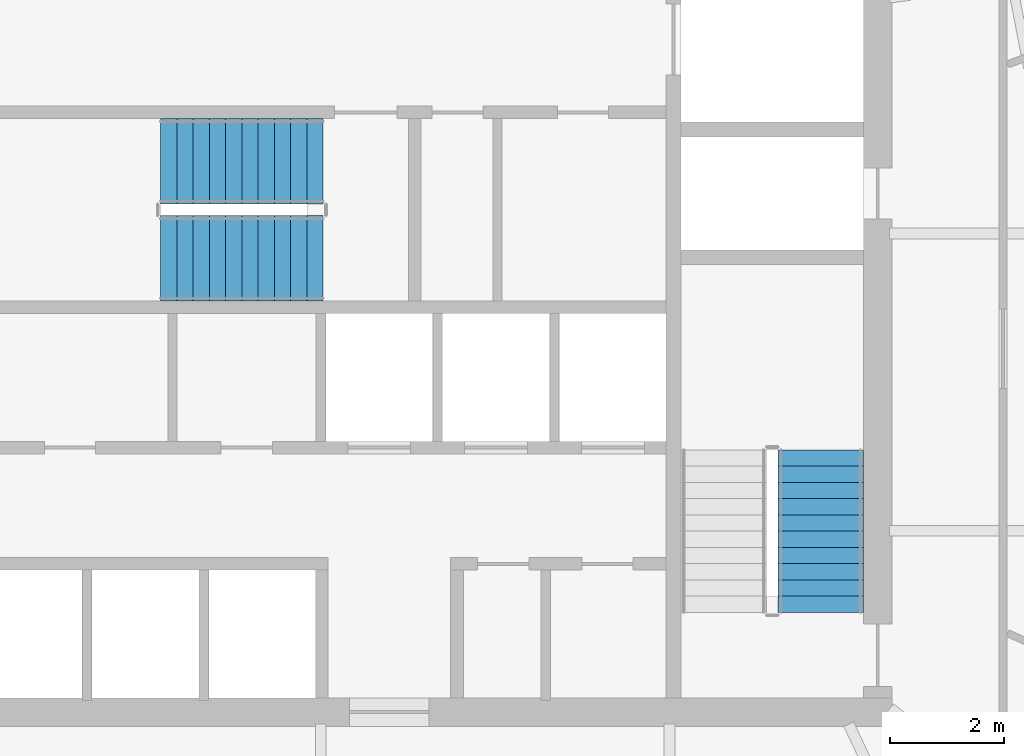
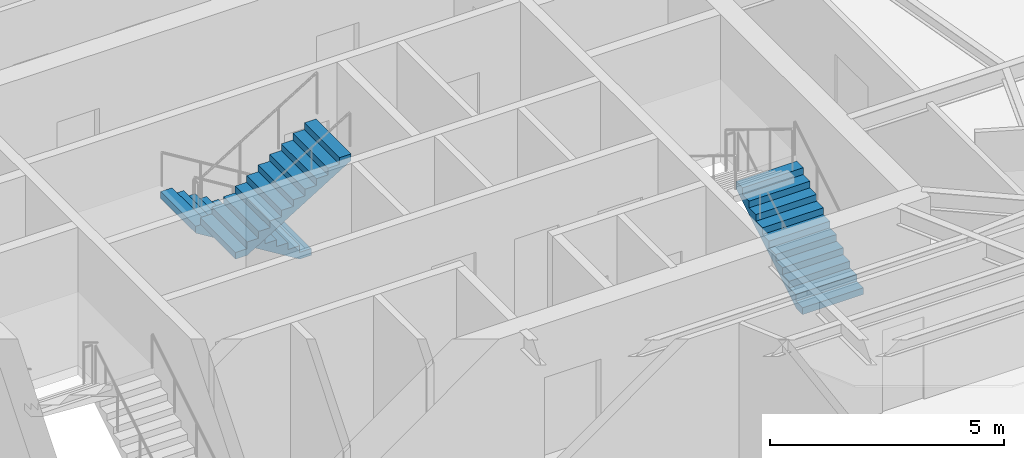
# One storey, part 11 of 13: 3 stair flights, 2 elements without a shape of their own.
"""IFC4 building model written with IfcOpenShell, lengths in metres."""

from ifc_helpers import new_model, si_unit, direction, frame, origin, place, context, subcontext, project, spatial, polyline, outline, extrude, material, type_object, element, aggregate, save


model = new_model("IFC4")

# Units and contexts
model_context = context("Model", 3, precision=1e-05, world=origin(), true_north=direction((0.0, 1.0)))
body_context = subcontext(model_context, "Body", "Model", "MODEL_VIEW")
ifc_project = project(units=[si_unit("LENGTHUNIT", "METRE"), si_unit("AREAUNIT", "SQUARE_METRE"), si_unit("VOLUMEUNIT", "CUBIC_METRE"), si_unit("PLANEANGLEUNIT", "RADIAN"), si_unit("MASSUNIT", "GRAM", prefix="KILO")], contexts=[model_context])

# Site, building, storey
site_placement = place(None, origin())
site = spatial("IfcSite", under=ifc_project, at=site_placement, CompositionType="ELEMENT")
building_placement = place(site_placement, origin())
building = spatial("IfcBuilding", under=site, at=building_placement, Name="Kavelnor Concourse Tower", CompositionType="ELEMENT")
storey_placement = place(building_placement, frame((0.0, 0.0, 131.699951171875)))
storey = spatial("IfcBuildingStorey", under=building, at=storey_placement, Name="L33", CompositionType="ELEMENT", Elevation=131.699951171875)

# Stair, stair flight
ifc_material = material(Name="Concrete C40/50", Category="concrete")
stair_type = type_object("IfcStairType", Name="STR-CORE-1500", PredefinedType="HALF_TURN_STAIR", material=ifc_material)
stair_1_placement = place(storey_placement, origin())
stair_1 = element("IfcStair", 1, at=stair_1_placement, inside=storey, type_object=stair_type, Name="L33 ST2", PredefinedType="HALF_TURN_STAIR")
stair_flight_type = type_object("IfcStairFlightType", Name="STR-FLIGHT-1500", PredefinedType="STRAIGHT", material=ifc_material)
stair_flight_1_placement = place(storey_placement, frame((46.77001953125, 11.10009765625, 0.0), z_axis=(0.0, 0.0, 1.0), x_axis=(0.0, 1.0, 0.0)))
stair_flight_1 = element("IfcStairFlight", 2, at=stair_flight_1_placement, type_object=stair_flight_type, Name="ST2 flight 1", NumberOfRisers=11, NumberOfTreads=10, PredefinedType="STRAIGHT", RiserHeight=0.175, TreadLength=0.285, context=body_context, shape_type="SweptSolid", body=[
    extrude(outline(polyline([(0.0, 0.0), (0.0, 0.175048828125), (0.284912109375, 0.175048828125), (0.284912109375, 0.35009765625), (0.570068359375, 0.35009765625), (0.570068359375, 0.52490234375), (0.85498046875, 0.52490234375), (0.85498046875, 0.699951171875), (1.139892578125, 0.699951171875), (1.139892578125, 0.875), (1.425048828125, 0.875), (1.425048828125, 1.050048828125), (1.7099609375, 1.050048828125), (1.7099609375, 1.22509765625), (1.9951171875, 1.22509765625), (1.9951171875, 1.39990234375), (2.280029296875, 1.39990234375), (2.280029296875, 1.574951171875), (2.56494140625, 1.574951171875), (2.56494140625, 1.75), (2.85009765625, 1.75), (2.85009765625, 1.925048828125), (2.85009765625, 1.573974609375), (0.286376953125, 0.0), (0.0, 0.0)])), frame((0.0, 0.75, 0.0), z_axis=(0.0, -1.0, 0.0), x_axis=(1.0, 0.0, 0.0)), (0.0, 0.0, 1.0), 1.5),
])
aggregate(stair_1, [stair_flight_1])

# Stair, stair flights
stair_2_placement = place(storey_placement, origin())
stair_2 = element("IfcStair", 3, at=stair_2_placement, inside=storey, type_object=stair_type, Name="L33 ST3", PredefinedType="HALF_TURN_STAIR")
stair_flight_2_placement = place(storey_placement, frame((38.0400390625, 19.010009765625, 0.0), z_axis=(0.0, 0.0, 1.0), x_axis=(-1.0, 0.0, 0.0)))
stair_flight_2 = element("IfcStairFlight", 4, at=stair_flight_2_placement, type_object=stair_flight_type, Name="ST3 flight 1", NumberOfRisers=11, NumberOfTreads=10, PredefinedType="STRAIGHT", RiserHeight=0.175, TreadLength=0.285, context=body_context, shape_type="SweptSolid", body=[
    extrude(outline(polyline([(0.0, 0.0), (0.0, 0.175048828125), (0.284912109375, 0.175048828125), (0.284912109375, 0.35009765625), (0.570068359375, 0.35009765625), (0.570068359375, 0.52490234375), (0.85498046875, 0.52490234375), (0.85498046875, 0.699951171875), (1.139892578125, 0.699951171875), (1.139892578125, 0.875), (1.425048828125, 0.875), (1.425048828125, 1.050048828125), (1.7099609375, 1.050048828125), (1.7099609375, 1.22509765625), (1.9951171875, 1.22509765625), (1.9951171875, 1.39990234375), (2.280029296875, 1.39990234375), (2.280029296875, 1.574951171875), (2.56494140625, 1.574951171875), (2.56494140625, 1.75), (2.85009765625, 1.75), (2.85009765625, 1.925048828125), (2.85009765625, 1.573974609375), (0.286376953125, 0.0), (0.0, 0.0)])), frame((0.0, 0.75, 0.0), z_axis=(0.0, -1.0, 0.0), x_axis=(1.0, 0.0, 0.0)), (0.0, 0.0, 1.0), 1.5),
])
stair_flight_3_placement = place(storey_placement, frame((35.18994140625, 17.31005859375, 1.925048828125), z_axis=(0.0, 0.0, 1.0), x_axis=(1.0, 0.0, 0.0)))
stair_flight_3 = element("IfcStairFlight", 5, at=stair_flight_3_placement, type_object=stair_flight_type, Name="ST3 flight 2", NumberOfRisers=11, NumberOfTreads=10, PredefinedType="STRAIGHT", RiserHeight=0.175, TreadLength=0.285, context=body_context, shape_type="SweptSolid", body=[
    extrude(outline(polyline([(0.0, 0.0), (0.0, 0.175048828125), (0.284912109375, 0.175048828125), (0.284912109375, 0.35009765625), (0.570068359375, 0.35009765625), (0.570068359375, 0.52490234375), (0.85498046875, 0.52490234375), (0.85498046875, 0.699951171875), (1.139892578125, 0.699951171875), (1.139892578125, 0.875), (1.425048828125, 0.875), (1.425048828125, 1.050048828125), (1.7099609375, 1.050048828125), (1.7099609375, 1.22509765625), (1.9951171875, 1.22509765625), (1.9951171875, 1.39990234375), (2.280029296875, 1.39990234375), (2.280029296875, 1.574951171875), (2.56494140625, 1.574951171875), (2.56494140625, 1.75), (2.85009765625, 1.75), (2.85009765625, 1.925048828125), (2.85009765625, 1.573974609375), (0.286376953125, 0.0), (0.0, 0.0)])), frame((0.0, 0.75, 0.0), z_axis=(0.0, -1.0, 0.0), x_axis=(1.0, 0.0, 0.0)), (0.0, 0.0, 1.0), 1.5),
])
aggregate(stair_2, [stair_flight_2, stair_flight_3])

save(model, "model.ifc")
